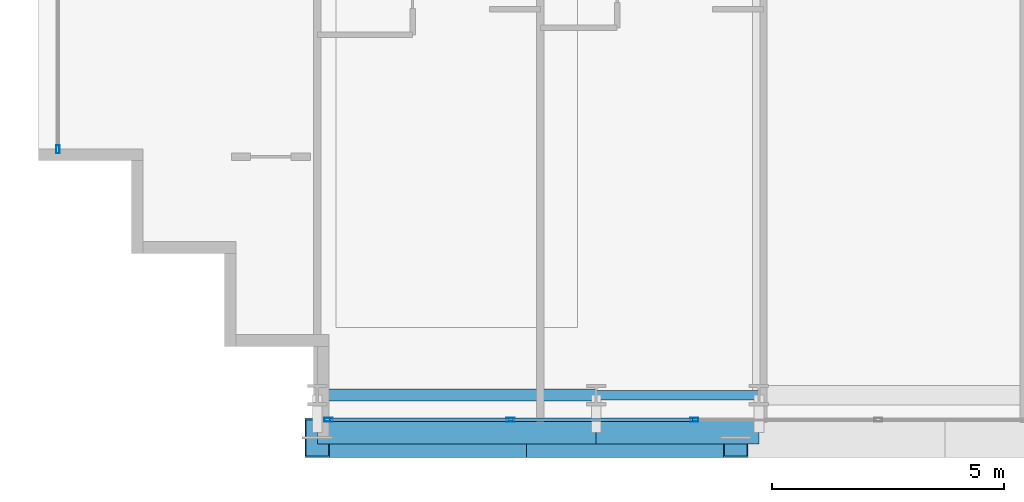
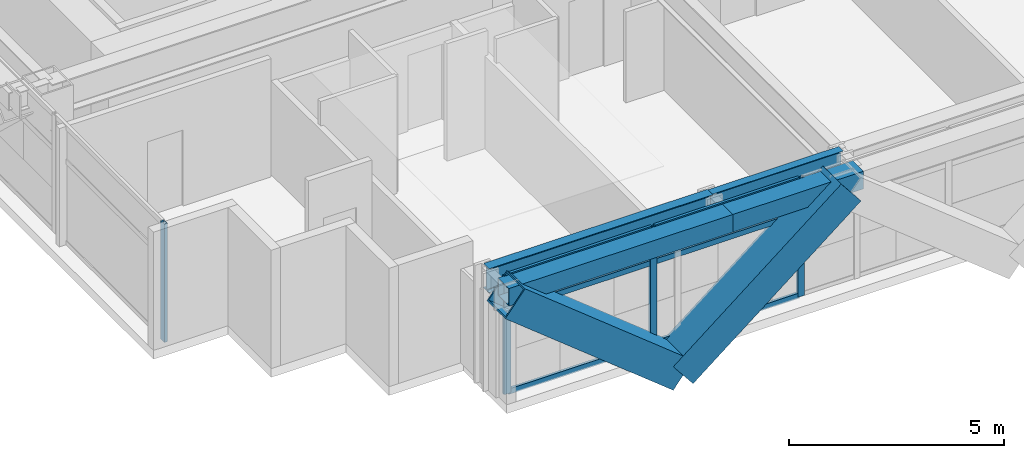
# One storey, part 2 of 38: 12 members, 4 beams, 2 elements without a shape of their own.
"""IFC4 building model written with IfcOpenShell, lengths in metres."""

from ifc_helpers import new_model, si_unit, direction, frame, origin, origin_2d, place, context, subcontext, project, spatial, hollow_rectangle, i_section, extrude, source, transform, mapped, material, layer, layer_set, material_profile, profile_set, type_object, element, aggregate, save


model = new_model("IFC4")

# Units and contexts
model_context = context("Model", 3, precision=1e-05, world=origin(), true_north=direction((0.0, 1.0)))
body_context = subcontext(model_context, "Body", "Model", "MODEL_VIEW")
ifc_project = project(units=[si_unit("LENGTHUNIT", "METRE"), si_unit("AREAUNIT", "SQUARE_METRE"), si_unit("VOLUMEUNIT", "CUBIC_METRE"), si_unit("PLANEANGLEUNIT", "RADIAN"), si_unit("MASSUNIT", "GRAM", prefix="KILO")], contexts=[model_context])

# Site, building, storey
site_placement = place(None, origin())
site = spatial("IfcSite", under=ifc_project, at=site_placement, CompositionType="ELEMENT")
building_placement = place(site_placement, origin())
building = spatial("IfcBuilding", under=site, at=building_placement, Name="Ocotamira Hotel", CompositionType="ELEMENT")
storey_placement = place(building_placement, frame((0.0, 0.0, 74.39990234375)))
storey = spatial("IfcBuildingStorey", under=building, at=storey_placement, Name="L18", CompositionType="ELEMENT", Elevation=74.39990234375)

# Beams
ifc_material_1 = material(Name="Steel ASTM A992 Grade 50", Category="steel")
ifc_material_profile_1 = material_profile(ifc_material_1, i_section(OverallWidth=0.256103515625, OverallDepth=0.693115234375, WebThickness=0.014404296875, FlangeThickness=0.023681640625, FilletRadius=0.01611328125, at=origin_2d()), Name="W27X114")
ifc_profile_set_1 = profile_set([ifc_material_profile_1], Name="Steel ASTM A992 Grade 50")
beam_type_1 = type_object("IfcBeamType", Name="BM-PRIM-W27X114", PredefinedType="BEAM", material=ifc_profile_set_1)
shared_shape_1 = source(origin(), body_context, "Body", "SweptSolid", [
    extrude(i_section(OverallWidth=0.256103515625, OverallDepth=0.693115234375, WebThickness=0.014404296875, FlangeThickness=0.023681640625, FilletRadius=0.01611328125, at=origin_2d()), origin(), (0.0, 0.0, 1.0), 6.0),
])
beam_1_placement = place(storey_placement, frame((14.0, 2.949951171875, 3.003662109375), z_axis=(1.0, 0.0, 0.0), x_axis=(0.0, 1.0, 0.0)))
element("IfcBeam", 1, at=beam_1_placement, inside=storey, type_object=beam_type_1, Name="L18 Girder Y2.95 X14-20", PredefinedType="BEAM", context=body_context, shape_type="MappedRepresentation", body=[
    mapped(shared_shape_1, transform((0.0, 0.0, 0.0), scale=1.0)),
])
ifc_material_profile_2 = material_profile(ifc_material_1, i_section(OverallWidth=0.2099609375, OverallDepth=0.537109375, WebThickness=0.010986328125, FlangeThickness=0.017333984375, FilletRadius=0.012939453125, at=origin_2d()), Name="W21X68")
ifc_profile_set_2 = profile_set([ifc_material_profile_2], Name="Steel ASTM A992 Grade 50")
beam_type_2 = type_object("IfcBeamType", Name="BM-SEC-W21X68", PredefinedType="JOIST", material=ifc_profile_set_2)
shared_shape_2 = source(origin(), body_context, "Body", "SweptSolid", [
    extrude(i_section(OverallWidth=0.2099609375, OverallDepth=0.537109375, WebThickness=0.010986328125, FlangeThickness=0.017333984375, FilletRadius=0.012939453125, at=origin_2d()), origin(), (0.0, 0.0, 1.0), 3.5),
])
beam_2_placement = place(storey_placement, frame((20.0, 2.949951171875, 3.08154296875), z_axis=(1.0, 0.0, 0.0), x_axis=(0.0, 1.0, 0.0)))
element("IfcBeam", 2, at=beam_2_placement, inside=storey, type_object=beam_type_2, Name="L18 Girder Y2.95 X20-23.5", PredefinedType="JOIST", context=body_context, shape_type="MappedRepresentation", body=[
    mapped(shared_shape_2, transform((0.0, 0.0, 0.0), scale=1.0)),
])
ifc_material_2 = material(Name="Steel ASTM A500 Grade C", Category="steel")
ifc_material_profile_3 = material_profile(ifc_material_2, hollow_rectangle(XDim=0.5, YDim=0.5, WallThickness=0.02001953125, at=origin_2d()), Name="HSS500X500X20")
ifc_profile_set_3 = profile_set([ifc_material_profile_3], Name="Steel ASTM A500 Grade C")
beam_type_3 = type_object("IfcBeamType", Name="BM-SPAN-HSS500", PredefinedType="USERDEFINED", material=ifc_profile_set_3)
shared_shape_3 = source(origin(), body_context, "Body", "SweptSolid", [
    extrude(hollow_rectangle(XDim=0.5, YDim=0.5, WallThickness=0.02001953125, at=origin_2d()), origin(), (0.0, 0.0, 1.0), 6.0),
])
beam_3_placement = place(storey_placement, frame((14.0, 2.14990234375, 3.10009765625), z_axis=(1.0, 0.0, 0.0), x_axis=(0.0, 1.0, 0.0)))
element("IfcBeam", 3, at=beam_3_placement, inside=storey, type_object=beam_type_3, Name="L18 Edge Spandrel S X14-20", ObjectType="SPANDREL", PredefinedType="USERDEFINED", context=body_context, shape_type="MappedRepresentation", body=[
    mapped(shared_shape_3, transform((0.0, 0.0, 0.0), scale=1.0)),
])
shared_shape_4 = source(origin(), body_context, "Body", "SweptSolid", [
    extrude(hollow_rectangle(XDim=0.5, YDim=0.5, WallThickness=0.02001953125, at=origin_2d()), origin(), (0.0, 0.0, 1.0), 3.5),
])
beam_4_placement = place(storey_placement, frame((20.0, 2.14990234375, 3.10009765625), z_axis=(1.0, 0.0, 0.0), x_axis=(0.0, 1.0, 0.0)))
element("IfcBeam", 4, at=beam_4_placement, inside=storey, type_object=beam_type_3, Name="L18 Edge Spandrel S X20-23.5", ObjectType="SPANDREL", PredefinedType="USERDEFINED", context=body_context, shape_type="MappedRepresentation", body=[
    mapped(shared_shape_4, transform((0.0, 0.0, 0.0), scale=1.0)),
])

# Members
ifc_material_3 = material(Name="Pale-metal coated steel ASTM A913 Grade 65", Category="steel")
ifc_material_profile_4 = material_profile(ifc_material_3, hollow_rectangle(XDim=0.85009765625, YDim=0.85009765625, WallThickness=0.035888671875, at=origin_2d()), Name="BOX850X850X36")
ifc_profile_set_4 = profile_set([ifc_material_profile_4], Name="Pale-metal coated steel ASTM A913 Grade 65")
member_type_1 = type_object("IfcMemberType", Name="MEM-EXO-BOX850", PredefinedType="BRACE", material=ifc_profile_set_4)
shared_shape_5 = source(origin(), body_context, "Body", "SweptSolid", [
    extrude(hollow_rectangle(XDim=0.85009765625, YDim=0.85009765625, WallThickness=0.035888671875, at=origin_2d()), origin(), (0.0, 0.0, 1.0), 5.762939453125),
])
for number, where, z_axis, x_axis, name in (
    (5, (18.5, 2.030029296875, -0.5), (-0.780860543151, 0.0, 0.624705380279), (0.0, -1.0, 0.0), "L18 Exoskeleton Diagrid S0.1"),
    (6, (18.5, 2.030029296875, -0.5), (0.780860543151, 0.0, 0.624705380279), (0.0, 1.0, 0.0), "L18 Exoskeleton Diagrid S0.2"),
):
    element("IfcMember", number, at=place(storey_placement, frame(where, z_axis=z_axis, x_axis=x_axis)), inside=storey, type_object=member_type_1, Name=name, PredefinedType="BRACE", context=body_context, shape_type="MappedRepresentation", body=[
        mapped(shared_shape_5, transform((0.0, 0.0, 0.0), scale=1.0)),
    ])

# Curtain wall, members
ifc_material_4 = material(Name="Anodised pale-metal aluminium and solar glass", Category="aluminium")
ifc_layer = layer(ifc_material_4, 0.179931640625)
ifc_layer_set = layer_set([ifc_layer], Name="Anodised pale-metal aluminium and solar glass")
curtain_wall_type = type_object("IfcCurtainWallType", Name="CW-SYS2-Z1", PredefinedType="NOTDEFINED", material=ifc_layer_set)
curtain_wall_1_placement = place(storey_placement, origin())
curtain_wall_1 = element("IfcCurtainWall", 7, at=curtain_wall_1_placement, inside=storey, type_object=curtain_wall_type, Name="L18 Curtain Wall CW-2 CW-L18-S1", PredefinedType="NOTDEFINED")
ifc_material_5 = material(Name="Anodised pale-metal aluminium 6063-T6", Category="aluminium")
ifc_material_profile_5 = material_profile(ifc_material_5, hollow_rectangle(XDim=0.074951171875, YDim=0.14990234375, WallThickness=0.006103515625, at=origin_2d()), Name="HSS150X75X6")
ifc_profile_set_5 = profile_set([ifc_material_profile_5], Name="Anodised pale-metal aluminium 6063-T6")
member_type_2 = type_object("IfcMemberType", Name="CWT-150X75", PredefinedType="USERDEFINED", material=ifc_profile_set_5)
shared_shape_6 = source(origin(), body_context, "Body", "SweptSolid", [
    extrude(hollow_rectangle(XDim=0.074951171875, YDim=0.14990234375, WallThickness=0.006103515625, at=origin_2d()), origin(), (0.0, 0.0, 1.0), 3.83544921875),
])
member_1_placement = place(storey_placement, frame((14.280029296875, 2.419921875, 0.03759765625), z_axis=(1.0, 0.0, 0.0), x_axis=(0.0, 1.0, 0.0)))
member_1 = element("IfcMember", 8, at=member_1_placement, type_object=member_type_2, Name="CW-2 transom 1.1", ObjectType="TRANSOM", PredefinedType="USERDEFINED", context=body_context, shape_type="MappedRepresentation", body=[
    mapped(shared_shape_6, transform((0.0, 0.0, 0.0), scale=1.0)),
])
member_2_placement = place(storey_placement, frame((14.280029296875, 2.419921875, 2.35009765625), z_axis=(1.0, 0.0, 0.0), x_axis=(0.0, 1.0, 0.0)))
member_2 = element("IfcMember", 9, at=member_2_placement, type_object=member_type_2, Name="CW-2 transom 1.2", ObjectType="TRANSOM", PredefinedType="USERDEFINED", context=body_context, shape_type="MappedRepresentation", body=[
    mapped(shared_shape_6, transform((0.0, 0.0, 0.0), scale=1.0)),
])
member_3_placement = place(storey_placement, frame((14.280029296875, 2.419921875, 3.3125), z_axis=(1.0, 0.0, 0.0), x_axis=(0.0, 1.0, 0.0)))
member_3 = element("IfcMember", 10, at=member_3_placement, type_object=member_type_2, Name="CW-2 transom 1.3", ObjectType="TRANSOM", PredefinedType="USERDEFINED", context=body_context, shape_type="MappedRepresentation", body=[
    mapped(shared_shape_6, transform((0.0, 0.0, 0.0), scale=1.0)),
])
shared_shape_7 = source(origin(), body_context, "Body", "SweptSolid", [
    extrude(hollow_rectangle(XDim=0.074951171875, YDim=0.14990234375, WallThickness=0.006103515625, at=origin_2d()), origin(), (0.0, 0.0, 1.0), 3.87548828125),
])
member_4_placement = place(storey_placement, frame((18.195556640625, 2.419921875, 0.03759765625), z_axis=(1.0, 0.0, 0.0), x_axis=(0.0, 1.0, 0.0)))
member_4 = element("IfcMember", 11, at=member_4_placement, type_object=member_type_2, Name="CW-2 transom 2.1", ObjectType="TRANSOM", PredefinedType="USERDEFINED", context=body_context, shape_type="MappedRepresentation", body=[
    mapped(shared_shape_7, transform((0.0, 0.0, 0.0), scale=1.0)),
])
member_5_placement = place(storey_placement, frame((18.195556640625, 2.419921875, 2.35009765625), z_axis=(1.0, 0.0, 0.0), x_axis=(0.0, 1.0, 0.0)))
member_5 = element("IfcMember", 12, at=member_5_placement, type_object=member_type_2, Name="CW-2 transom 2.2", ObjectType="TRANSOM", PredefinedType="USERDEFINED", context=body_context, shape_type="MappedRepresentation", body=[
    mapped(shared_shape_7, transform((0.0, 0.0, 0.0), scale=1.0)),
])
member_6_placement = place(storey_placement, frame((18.195556640625, 2.419921875, 3.3125), z_axis=(1.0, 0.0, 0.0), x_axis=(0.0, 1.0, 0.0)))
member_6 = element("IfcMember", 13, at=member_6_placement, type_object=member_type_2, Name="CW-2 transom 2.3", ObjectType="TRANSOM", PredefinedType="USERDEFINED", context=body_context, shape_type="MappedRepresentation", body=[
    mapped(shared_shape_7, transform((0.0, 0.0, 0.0), scale=1.0)),
])
ifc_material_profile_6 = material_profile(ifc_material_5, hollow_rectangle(XDim=0.080078125, YDim=0.179931640625, WallThickness=0.006103515625, at=origin_2d()), Name="HSS180X80X6")
ifc_profile_set_6 = profile_set([ifc_material_profile_6], Name="Anodised pale-metal aluminium 6063-T6")
member_type_3 = type_object("IfcMemberType", Name="CWM-180X75", PredefinedType="MULLION", material=ifc_profile_set_6)
shared_shape_8 = source(origin(), body_context, "Body", "SweptSolid", [
    extrude(hollow_rectangle(XDim=0.080078125, YDim=0.179931640625, WallThickness=0.006103515625, at=origin_2d()), origin(), (0.0, 0.0, 1.0), 3.35009765625),
])
member_7_placement = place(storey_placement, frame((14.239990234375, 2.419921875, 0.0), z_axis=(0.0, 0.0, 1.0), x_axis=(0.0, 1.0, 0.0)))
member_7 = element("IfcMember", 14, at=member_7_placement, type_object=member_type_3, Name="CW-2 mullion 1", PredefinedType="MULLION", context=body_context, shape_type="MappedRepresentation", body=[
    mapped(shared_shape_8, transform((0.0, 0.0, 0.0), scale=1.0)),
])
member_8_placement = place(storey_placement, frame((18.155517578125, 2.419921875, 0.0), z_axis=(0.0, 0.0, 1.0), x_axis=(0.0, 1.0, 0.0)))
member_8 = element("IfcMember", 15, at=member_8_placement, type_object=member_type_3, Name="CW-2 mullion 2", PredefinedType="MULLION", context=body_context, shape_type="MappedRepresentation", body=[
    mapped(shared_shape_8, transform((0.0, 0.0, 0.0), scale=1.0)),
])
member_9_placement = place(storey_placement, frame((22.111083984375, 2.419921875, 0.0), z_axis=(0.0, 0.0, 1.0), x_axis=(0.0, 1.0, 0.0)))
member_9 = element("IfcMember", 16, at=member_9_placement, type_object=member_type_3, Name="CW-2 mullion 3", PredefinedType="MULLION", context=body_context, shape_type="MappedRepresentation", body=[
    mapped(shared_shape_8, transform((0.0, 0.0, 0.0), scale=1.0)),
])
aggregate(curtain_wall_1, [member_7, member_8, member_9, member_1, member_2, member_3, member_4, member_5, member_6])

# Curtain wall, member
curtain_wall_2_placement = place(storey_placement, origin())
curtain_wall_2 = element("IfcCurtainWall", 17, at=curtain_wall_2_placement, inside=storey, type_object=curtain_wall_type, Name="L18 Curtain Wall CW-2 CW-L18-W", PredefinedType="NOTDEFINED")
member_10_placement = place(storey_placement, frame((8.419921875, 8.239990234375, 0.0), z_axis=(0.0, 0.0, 1.0), x_axis=(-1.0, 0.0, 0.0)))
member_10 = element("IfcMember", 18, at=member_10_placement, type_object=member_type_3, Name="CW-2 mullion 1", PredefinedType="MULLION", context=body_context, shape_type="MappedRepresentation", body=[
    mapped(shared_shape_8, transform((0.0, 0.0, 0.0), scale=1.0)),
])
aggregate(curtain_wall_2, [member_10])

save(model, "model.ifc")
